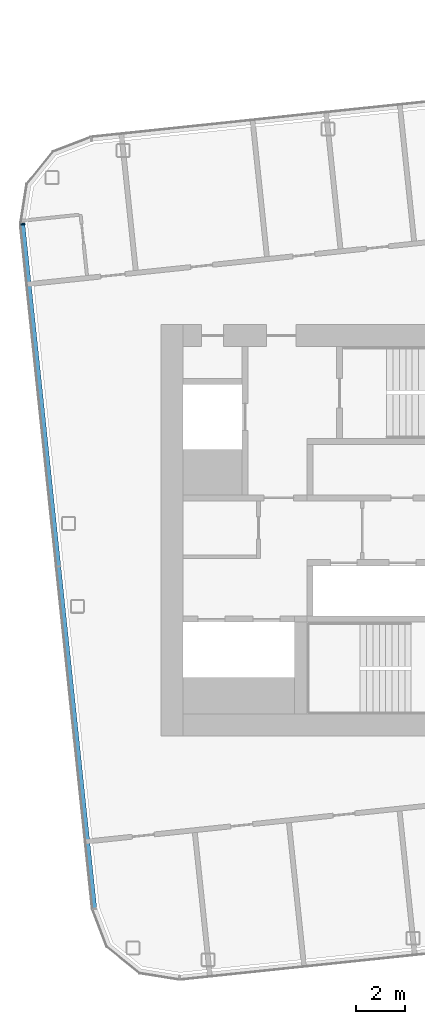
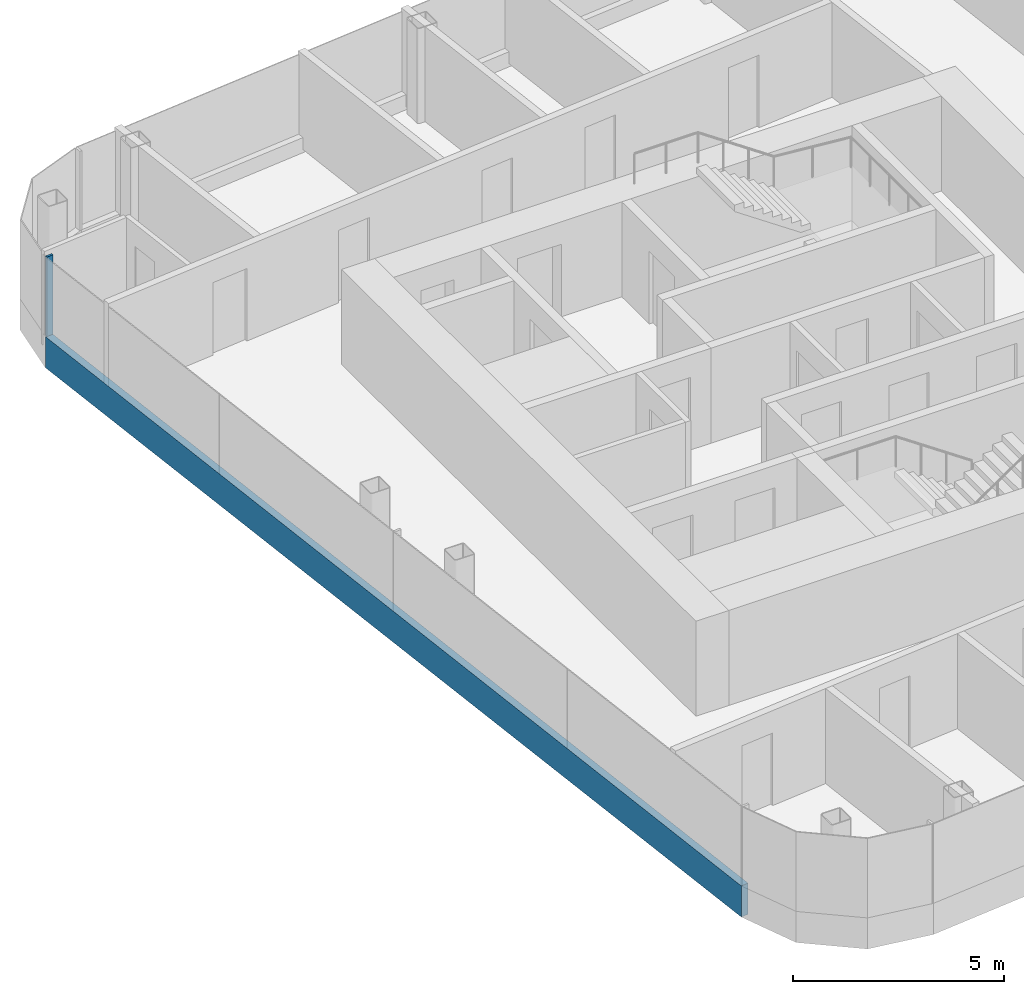
# One storey, part 4 of 27: 2 members, 1 element without a shape of its own.
"""IFC4 building model written with IfcOpenShell, lengths in metres."""

from ifc_helpers import new_model, si_unit, direction, frame, origin, origin_2d, place, context, subcontext, project, spatial, rectangle, extrude, material, layer, layer_set, material_profile, profile_set, type_object, element, aggregate, save


model = new_model("IFC4")

# Units and contexts
model_context = context("Model", 3, precision=1e-05, world=origin(), true_north=direction((0.0, 1.0)))
body_context = subcontext(model_context, "Body", "Model", "MODEL_VIEW")
ifc_project = project(units=[si_unit("LENGTHUNIT", "METRE"), si_unit("AREAUNIT", "SQUARE_METRE"), si_unit("VOLUMEUNIT", "CUBIC_METRE"), si_unit("PLANEANGLEUNIT", "RADIAN"), si_unit("MASSUNIT", "GRAM", prefix="KILO")], contexts=[model_context])

# Site, building, storey
site_placement = place(None, origin())
site = spatial("IfcSite", under=ifc_project, at=site_placement, CompositionType="ELEMENT")
building_placement = place(site_placement, origin())
building = spatial("IfcBuilding", under=site, at=building_placement, Name="Hakoniwa Tower and Hamabe Station Hall", CompositionType="ELEMENT")
storey_placement = place(building_placement, frame((0.0, 0.0, 261.39990234375)))
storey = spatial("IfcBuildingStorey", under=building, at=storey_placement, Name="L74", CompositionType="ELEMENT", Elevation=261.39990234375)

# Curtain wall, members
ifc_material_1 = material(Name="Dark low-e laminated glass", Category="glass")
ifc_layer = layer(ifc_material_1, 0.199951171875)
ifc_layer_set = layer_set([ifc_layer], Name="CW-1 UNITISED GUEST")
curtain_wall_type = type_object("IfcCurtainWallType", Name="CW-1 UNITISED GUEST", PredefinedType="NOTDEFINED", material=ifc_layer_set)
curtain_wall_placement = place(storey_placement, origin())
curtain_wall = element("IfcCurtainWall", 1, at=curtain_wall_placement, inside=storey, type_object=curtain_wall_type, Name="CW-1 curtain wall", PredefinedType="NOTDEFINED")
ifc_material_2 = material(Name="Aluminium 6063-T5 black anodised", Category="aluminium")
ifc_material_profile_1 = material_profile(ifc_material_2, rectangle(XDim=0.199951171875, YDim=0.89990234375, at=origin_2d()), Name="CW SLAB-EDGE BAND 900X200")
ifc_profile_set_1 = profile_set([ifc_material_profile_1], Name="Aluminium 6063-T5 black anodised")
member_type_1 = type_object("IfcMemberType", Name="CW SLAB-EDGE BAND 900X200", PredefinedType="USERDEFINED", material=ifc_profile_set_1)
member_1_placement = place(storey_placement, frame((-39.25927734375, 12.490478515625, -0.099853515625), z_axis=(0.104529086463, -0.994521829868, 0.0), x_axis=(0.994521829868, 0.104529086463, 0.0)))
member_1 = element("IfcMember", 2, at=member_1_placement, type_object=member_type_1, Name="CW-1 transom", ObjectType="TRANSOM", PredefinedType="USERDEFINED", context=body_context, shape_type="SweptSolid", body=[
    extrude(rectangle(XDim=0.199951171875, YDim=0.89990234375, at=origin_2d()), origin(), (0.0, 0.0, 1.0), 28.078857421875),
])
ifc_material_3 = material(Name="Aluminium 6063-T5 black anodised", Category="aluminium")
ifc_material_profile_2 = material_profile(ifc_material_3, rectangle(XDim=0.06005859375, YDim=0.179931640625, at=origin_2d()), Name="CW-1 MULLION 60X180")
ifc_profile_set_2 = profile_set([ifc_material_profile_2], Name="Aluminium 6063-T5 black anodised")
member_type_2 = type_object("IfcMemberType", Name="CW-1 MULLION 60X180", PredefinedType="MULLION", material=ifc_profile_set_2)
member_2_placement = place(storey_placement, frame((-39.241455078125, 12.492431640625, 0.35009765625), z_axis=(0.0, 0.0, 1.0), x_axis=(0.104528468631, -0.994521894805, 0.0)))
member_2 = element("IfcMember", 3, at=member_2_placement, type_object=member_type_2, Name="CW-1 mullion", PredefinedType="MULLION", context=body_context, shape_type="SweptSolid", body=[
    extrude(rectangle(XDim=0.06005859375, YDim=0.179931640625, at=origin_2d()), origin(), (0.0, 0.0, 1.0), 2.300048828125),
])
aggregate(curtain_wall, [member_2, member_1])

save(model, "model.ifc")
